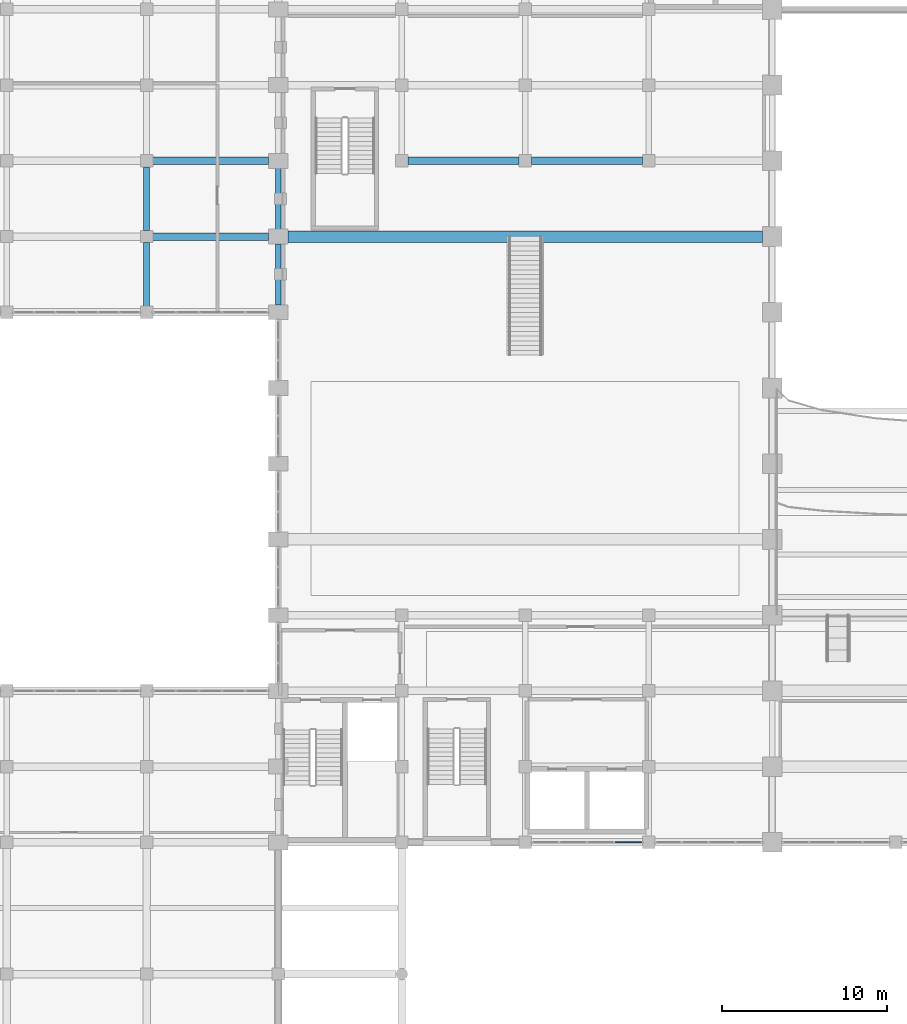
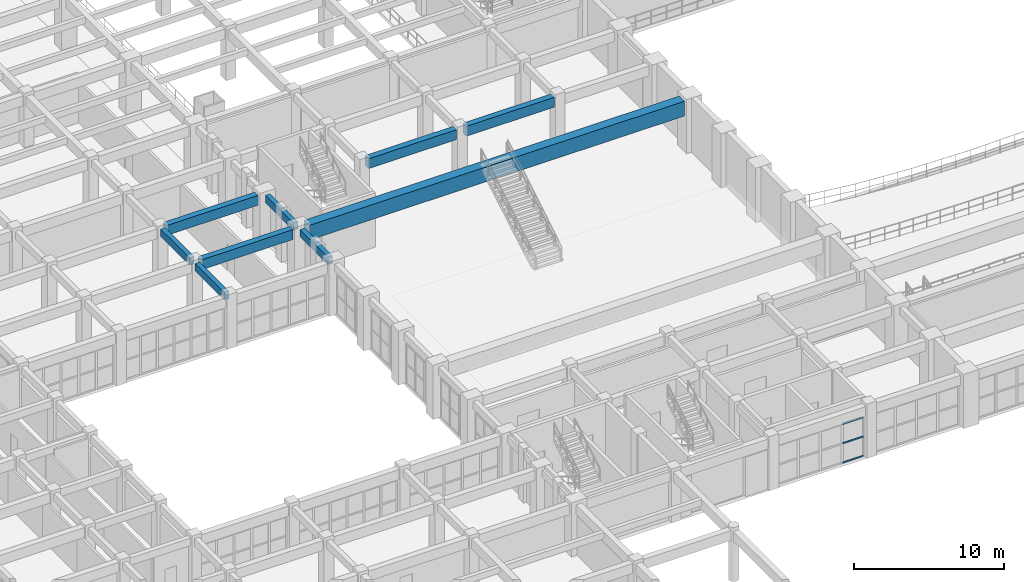
# One storey, part 33 of 116: 9 beams, 3 members, 1 element without a shape of its own.
"""IFC4 building model written with IfcOpenShell, lengths in metres."""

from ifc_helpers import new_model, si_unit, direction, frame, origin, origin_2d, place, context, subcontext, project, spatial, rectangle, hollow_rectangle, extrude, material, layer, layer_set, material_profile, profile_set, type_object, element, aggregate, save


model = new_model("IFC4")

# Units and contexts
model_context = context("Model", 3, precision=1e-05, world=origin(), true_north=direction((0.0, 1.0)))
body_context = subcontext(model_context, "Body", "Model", "MODEL_VIEW")
ifc_project = project(units=[si_unit("LENGTHUNIT", "METRE"), si_unit("AREAUNIT", "SQUARE_METRE"), si_unit("VOLUMEUNIT", "CUBIC_METRE"), si_unit("PLANEANGLEUNIT", "RADIAN"), si_unit("MASSUNIT", "GRAM", prefix="KILO")], contexts=[model_context])

# Site, building, storey
site_placement = place(None, origin())
site = spatial("IfcSite", under=ifc_project, at=site_placement, CompositionType="ELEMENT")
building_placement = place(site_placement, origin())
building = spatial("IfcBuilding", under=site, at=building_placement, Name="Muzn Square Opera House", CompositionType="ELEMENT")
storey_placement = place(building_placement, frame((0.0, 0.0, 5.39990234375)))
storey = spatial("IfcBuildingStorey", under=building, at=storey_placement, Name="L01", CompositionType="ELEMENT", Elevation=5.39990234375)

# Curtain wall, members
ifc_material_1 = material(Name="Low-E laminated acoustic double glazing", Category="glass")
ifc_layer = layer(ifc_material_1, 0.159912109375, Name="Low-E laminated acoustic double glazing", Category="glass")
ifc_layer_set = layer_set([ifc_layer], Name="Low-E laminated acoustic double glazing")
curtain_wall_type = type_object("IfcCurtainWallType", Name="Glazed Curtain Wall Forecourt 6750x3200", PredefinedType="USERDEFINED", material=ifc_layer_set)
curtain_wall_placement = place(storey_placement, origin())
curtain_wall = element("IfcCurtainWall", 1, at=curtain_wall_placement, inside=storey, type_object=curtain_wall_type, Name="Glazed Curtain Wall CW-L01-003", ObjectType="GLAZED CURTAIN WALL", PredefinedType="USERDEFINED")
ifc_material_2 = material(Name="Anodised bronze aluminium 6063-T6", Category="metal")
ifc_material_profile_1 = material_profile(ifc_material_2, hollow_rectangle(XDim=0.06005859375, YDim=0.1201171875, WallThickness=0.00390625, at=origin_2d()), Name="ALU 120x60x4", Category="metal")
ifc_profile_set_1 = profile_set([ifc_material_profile_1], Name="Anodised bronze aluminium 6063-T6")
member_type = type_object("IfcMemberType", Name="Curtain Wall Transom 120x60", PredefinedType="USERDEFINED", material=ifc_profile_set_1)
member_1_placement = place(storey_placement, frame((63.467529296875, 22.0, 0.030029296875), z_axis=(1.0, 0.0, 0.0), x_axis=(0.0, 1.0, 0.0)))
member_1 = element("IfcMember", 2, at=member_1_placement, type_object=member_type, Name="CW-FC-67x32 transom 4.1", ObjectType="TRANSOM", PredefinedType="USERDEFINED", context=body_context, shape_type="SweptSolid", body=[
    extrude(hollow_rectangle(XDim=0.06005859375, YDim=0.1201171875, WallThickness=0.00390625, at=origin_2d()), origin(), (0.0, 0.0, 1.0), 1.597412109375),
])
member_2_placement = place(storey_placement, frame((63.467529296875, 22.0, 1.60009765625), z_axis=(1.0, 0.0, 0.0), x_axis=(0.0, 1.0, 0.0)))
member_2 = element("IfcMember", 3, at=member_2_placement, type_object=member_type, Name="CW-FC-67x32 transom 4.2", ObjectType="TRANSOM", PredefinedType="USERDEFINED", context=body_context, shape_type="SweptSolid", body=[
    extrude(hollow_rectangle(XDim=0.06005859375, YDim=0.1201171875, WallThickness=0.00390625, at=origin_2d()), origin(), (0.0, 0.0, 1.0), 1.597412109375),
])
member_3_placement = place(storey_placement, frame((63.467529296875, 22.0, 3.170166015625), z_axis=(1.0, 0.0, 0.0), x_axis=(0.0, 1.0, 0.0)))
member_3 = element("IfcMember", 4, at=member_3_placement, type_object=member_type, Name="CW-FC-67x32 transom 4.3", ObjectType="TRANSOM", PredefinedType="USERDEFINED", context=body_context, shape_type="SweptSolid", body=[
    extrude(hollow_rectangle(XDim=0.06005859375, YDim=0.1201171875, WallThickness=0.00390625, at=origin_2d()), origin(), (0.0, 0.0, 1.0), 1.597412109375),
])
aggregate(curtain_wall, [member_1, member_2, member_3])

# Beams
ifc_material_3 = material(Name="Concrete C40/50", Category="concrete")
ifc_material_profile_2 = material_profile(ifc_material_3, rectangle(XDim=0.35009765625, YDim=0.60009765625, at=origin_2d()), Name="RCB 350x600", Category="concrete")
ifc_profile_set_2 = profile_set([ifc_material_profile_2], Name="Concrete C40/50")
beam_type_1 = type_object("IfcBeamType", Name="Primary Girder 350x600", PredefinedType="BEAM", material=ifc_profile_set_2)
beam_1_placement = place(storey_placement, frame((35.0, 54.56689453125, 3.820068359375), z_axis=(0.0, 1.0, 0.0), x_axis=(-1.0, 0.0, 0.0)))
element("IfcBeam", 5, at=beam_1_placement, inside=storey, type_object=beam_type_1, Name="Primary Girder BM-L01-BM-PG600-350_546_350_584-1588", PredefinedType="BEAM", context=body_context, shape_type="SweptSolid", body=[
    extrude(rectangle(XDim=0.35009765625, YDim=0.60009765625, at=origin_2d()), origin(), (0.0, 0.0, 1.0), 3.8662109375),
])
beam_2_placement = place(storey_placement, frame((35.0, 59.1669921875, 3.820068359375), z_axis=(0.0, 1.0, 0.0), x_axis=(-1.0, 0.0, 0.0)))
element("IfcBeam", 6, at=beam_2_placement, inside=storey, type_object=beam_type_1, Name="Primary Girder BM-L01-BM-PG600-350_592_350_630-1589", PredefinedType="BEAM", context=body_context, shape_type="SweptSolid", body=[
    extrude(rectangle(XDim=0.35009765625, YDim=0.60009765625, at=origin_2d()), origin(), (0.0, 0.0, 1.0), 3.865966796875),
])
beam_3_placement = place(storey_placement, frame((43.0, 54.64208984375, 3.820068359375), z_axis=(0.0, 1.0, 0.0), x_axis=(-1.0, 0.0, 0.0)))
element("IfcBeam", 7, at=beam_3_placement, inside=storey, type_object=beam_type_1, Name="Primary Girder BM-L01-BM-PG600-430_546_430_584-1606", PredefinedType="BEAM", context=body_context, shape_type="SweptSolid", body=[
    extrude(rectangle(XDim=0.35009765625, YDim=0.60009765625, at=origin_2d()), origin(), (0.0, 0.0, 1.0), 3.7158203125),
])
beam_4_placement = place(storey_placement, frame((43.0, 59.241943359375, 3.820068359375), z_axis=(0.0, 1.0, 0.0), x_axis=(-1.0, 0.0, 0.0)))
element("IfcBeam", 8, at=beam_4_placement, inside=storey, type_object=beam_type_1, Name="Primary Girder BM-L01-BM-PG600-430_592_430_630-1607", PredefinedType="BEAM", context=body_context, shape_type="SweptSolid", body=[
    extrude(rectangle(XDim=0.35009765625, YDim=0.60009765625, at=origin_2d()), origin(), (0.0, 0.0, 1.0), 3.716064453125),
])
ifc_material_profile_3 = material_profile(ifc_material_3, rectangle(XDim=0.449951171875, YDim=0.800048828125, at=origin_2d()), Name="RCB 450x800", Category="concrete")
ifc_profile_set_3 = profile_set([ifc_material_profile_3], Name="Concrete C40/50")
beam_type_2 = type_object("IfcBeamType", Name="Primary Girder 450x800", PredefinedType="BEAM", material=ifc_profile_set_3)
for number, where, z_axis, x_axis, name in (
    (9, (35.366943359375, 58.800048828125, 3.72021484375), (1.0, 0.0, 0.0), (0.0, 1.0, 0.0), "Primary Girder BM-L01-BM-PG800-354_588_424_588-1385"),
    (10, (35.366943359375, 63.39990234375, 3.72021484375), (1.0, 0.0, 0.0), (0.0, 1.0, 0.0), "Primary Girder BM-L01-BM-PG800-354_634_424_634-1399"),
):
    element("IfcBeam", number, at=place(storey_placement, frame(where, z_axis=z_axis, x_axis=x_axis)), inside=storey, type_object=beam_type_2, Name=name, PredefinedType="BEAM", context=body_context, shape_type="SweptSolid", body=[
        extrude(rectangle(XDim=0.449951171875, YDim=0.800048828125, at=origin_2d()), origin(), (0.0, 0.0, 1.0), 7.041015625),
    ])
for number, where, z_axis, x_axis, name in (
    (11, (50.866943359375, 63.39990234375, 3.72021484375), (1.0, 0.0, 0.0), (0.0, 1.0, 0.0), "Primary Girder BM-L01-BM-PG800-509_634_576_634-1400"),
    (12, (58.366943359375, 63.39990234375, 3.72021484375), (1.0, 0.0, 0.0), (0.0, 1.0, 0.0), "Primary Girder BM-L01-BM-PG800-584_634_651_634-1401"),
):
    element("IfcBeam", number, at=place(storey_placement, frame(where, z_axis=z_axis, x_axis=x_axis)), inside=storey, type_object=beam_type_2, Name=name, PredefinedType="BEAM", context=body_context, shape_type="SweptSolid", body=[
        extrude(rectangle(XDim=0.449951171875, YDim=0.800048828125, at=origin_2d()), origin(), (0.0, 0.0, 1.0), 6.76611328125),
    ])
ifc_material_profile_4 = material_profile(ifc_material_3, rectangle(XDim=0.699951171875, YDim=1.199951171875, at=origin_2d()), Name="RCB 700x1200", Category="concrete")
ifc_profile_set_4 = profile_set([ifc_material_profile_4], Name="Concrete C40/50")
beam_type_3 = type_object("IfcBeamType", Name="Primary Girder 700x1200", PredefinedType="BEAM", material=ifc_profile_set_4)
beam_5_placement = place(storey_placement, frame((43.592041015625, 58.800048828125, 3.52001953125), z_axis=(1.0, 0.0, 0.0), x_axis=(0.0, 1.0, 0.0)))
element("IfcBeam", 13, at=beam_5_placement, inside=storey, type_object=beam_type_3, Name="Primary Girder BM-L01-BM-PG1200-436_588_724_588-1386", PredefinedType="BEAM", context=body_context, shape_type="SweptSolid", body=[
    extrude(rectangle(XDim=0.699951171875, YDim=1.199951171875, at=origin_2d()), origin(), (0.0, 0.0, 1.0), 28.81591796875),
])

save(model, "model.ifc")
